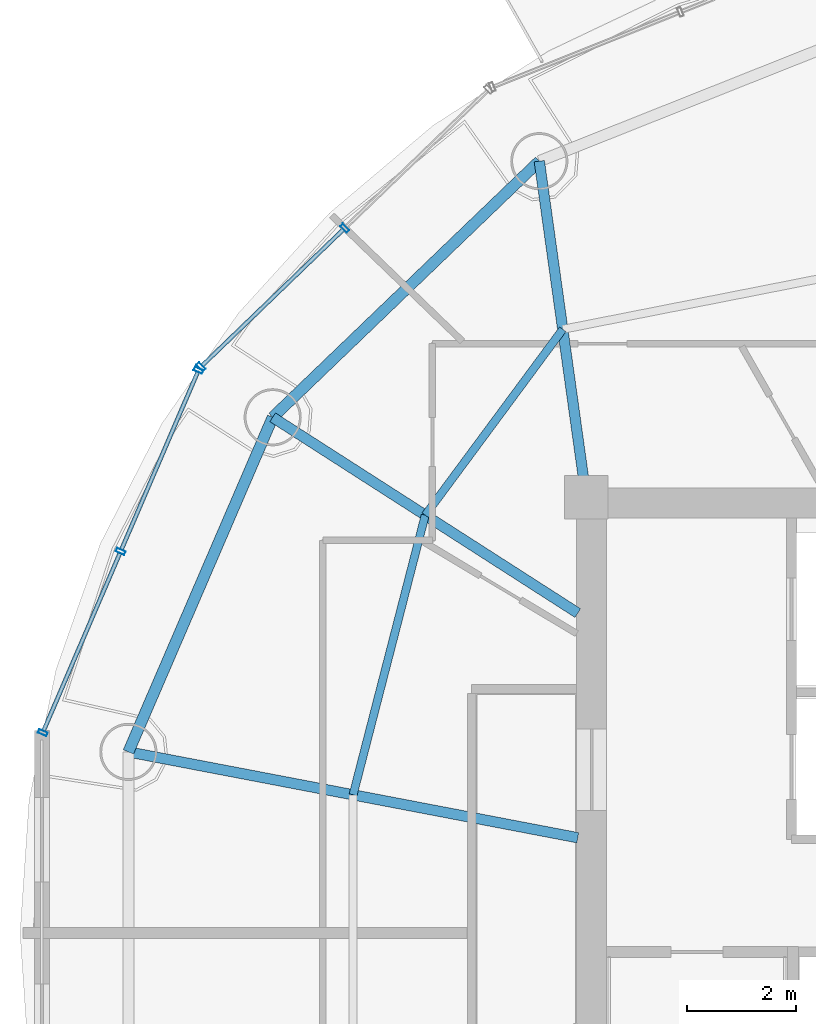
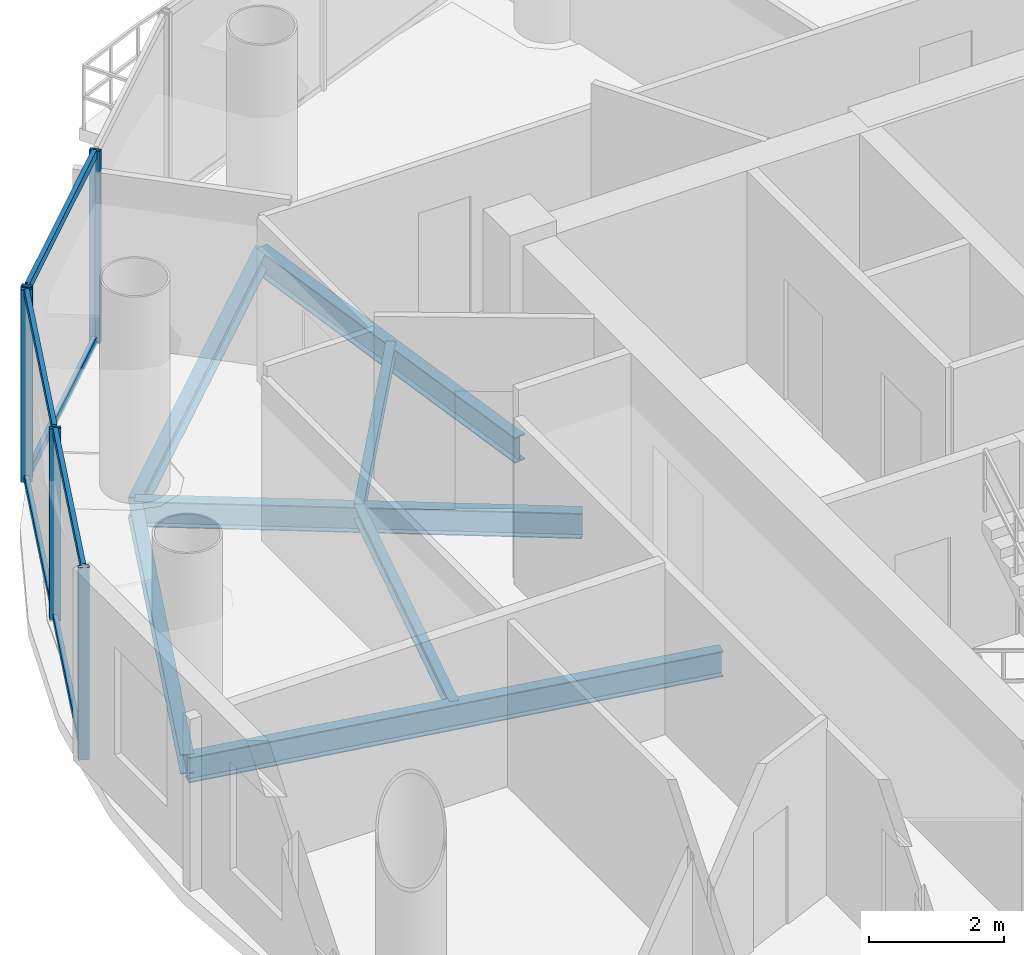
# One storey, part 8 of 23: 11 members, 7 beams, 2 elements without a shape of their own.
"""IFC4 building model written with IfcOpenShell, lengths in metres."""

from ifc_helpers import new_model, si_unit, direction, frame, origin, origin_2d, place, context, subcontext, project, spatial, hollow_rectangle, i_section, extrude, source, transform, mapped, material, material_profile, profile_set, type_object, element, aggregate, save


model = new_model("IFC4")

# Units and contexts
model_context = context("Model", 3, precision=1e-05, world=origin(), true_north=direction((-0.2419218956, 0.970295726276)))
body_context = subcontext(model_context, "Body", "Model", "MODEL_VIEW")
ifc_project = project(units=[si_unit("LENGTHUNIT", "METRE"), si_unit("AREAUNIT", "SQUARE_METRE"), si_unit("VOLUMEUNIT", "CUBIC_METRE"), si_unit("PLANEANGLEUNIT", "RADIAN"), si_unit("MASSUNIT", "GRAM", prefix="KILO")], contexts=[model_context])

# Site, building, storey
site_placement = place(None, origin())
site = spatial("IfcSite", under=ifc_project, at=site_placement, CompositionType="ELEMENT")
building_placement = place(site_placement, origin())
building = spatial("IfcBuilding", under=site, at=building_placement, Name="Cobrevalo Terracotta Tower", CompositionType="ELEMENT")
storey_placement = place(building_placement, frame((0.0, 0.0, 266.949951171875)))
storey = spatial("IfcBuildingStorey", under=building, at=storey_placement, Name="L70", CompositionType="ELEMENT", Elevation=266.949951171875)

# Beams
ifc_material_1 = material(Name="Steel S355", Category="steel")
ifc_material_profile_1 = material_profile(ifc_material_1, i_section(OverallWidth=0.19091796875, OverallDepth=0.4599609375, WebThickness=0.010009765625, FlangeThickness=0.01611328125, at=origin_2d()), Name="W 460x82")
ifc_profile_set_1 = profile_set([ifc_material_profile_1], Name="Steel S355")
beam_type_1 = type_object("IfcBeamType", Name="Structural Beam W 460x82 (Steel S355)", PredefinedType="BEAM", material=ifc_profile_set_1)
beam_1_placement = place(storey_placement, frame((28.138671875, 40.9765625, -0.489990234375), z_axis=(0.138115657759, -0.990416107039, 0.0), x_axis=(0.990416107039, 0.138115657759, 0.0)))
element("IfcBeam", 1, at=beam_1_placement, inside=storey, type_object=beam_type_1, Name="L70 radial floor girder 06", PredefinedType="BEAM", context=body_context, shape_type="SweptSolid", body=[
    extrude(i_section(OverallWidth=0.19091796875, OverallDepth=0.4599609375, WebThickness=0.010009765625, FlangeThickness=0.01611328125, at=origin_2d()), origin(), (0.0, 0.0, 1.0), 6.236328125),
])
beam_2_placement = place(storey_placement, frame((23.241455078125, 36.2724609375, -0.489990234375), z_axis=(0.84157615512, -0.540138477739, 0.0), x_axis=(0.540138477739, 0.84157615512, 0.0)))
element("IfcBeam", 2, at=beam_2_placement, inside=storey, type_object=beam_type_1, Name="L70 radial floor girder 07", PredefinedType="BEAM", context=body_context, shape_type="SweptSolid", body=[
    extrude(i_section(OverallWidth=0.19091796875, OverallDepth=0.4599609375, WebThickness=0.010009765625, FlangeThickness=0.01611328125, at=origin_2d()), origin(), (0.0, 0.0, 1.0), 6.658447265625),
])
beam_3_placement = place(storey_placement, frame((20.591064453125, 30.126220703125, -0.489990234375), z_axis=(0.982234917636, -0.187655446433, 0.0), x_axis=(0.187655446433, 0.982234917636, 0.0)))
element("IfcBeam", 3, at=beam_3_placement, inside=storey, type_object=beam_type_1, Name="L70 radial floor girder 08", PredefinedType="BEAM", context=body_context, shape_type="SweptSolid", body=[
    extrude(i_section(OverallWidth=0.19091796875, OverallDepth=0.4599609375, WebThickness=0.010009765625, FlangeThickness=0.01611328125, at=origin_2d()), origin(), (0.0, 0.0, 1.0), 8.403076171875),
])
ifc_material_profile_2 = material_profile(ifc_material_1, i_section(OverallWidth=0.14794921875, OverallDepth=0.26611328125, WebThickness=0.007568359375, FlangeThickness=0.012939453125, at=origin_2d()), Name="W 250x44.8")
ifc_profile_set_2 = profile_set([ifc_material_profile_2], Name="Steel S355")
beam_type_2 = type_object("IfcBeamType", Name="Structural Joist W 250x44.8 (Steel S355)", PredefinedType="JOIST", material=ifc_profile_set_2)
beam_4_placement = place(storey_placement, frame((28.5693359375, 37.88818359375, -0.39306640625), z_axis=(-0.594799916617, -0.803873783123, 0.0), x_axis=(0.803873783123, -0.594799916617, 0.0)))
element("IfcBeam", 4, at=beam_4_placement, inside=storey, type_object=beam_type_2, Name="L70 circumferential secondary floor joist 06", PredefinedType="JOIST", context=body_context, shape_type="SweptSolid", body=[
    extrude(i_section(OverallWidth=0.14794921875, OverallDepth=0.26611328125, WebThickness=0.007568359375, FlangeThickness=0.012939453125, at=origin_2d()), origin(), (0.0, 0.0, 1.0), 4.2470703125),
])
beam_5_placement = place(storey_placement, frame((26.043212890625, 34.47412109375, -0.39306640625), z_axis=(-0.249816773293, -0.968293126993, 0.0), x_axis=(0.968293126993, -0.249816773293, 0.0)))
element("IfcBeam", 5, at=beam_5_placement, inside=storey, type_object=beam_type_2, Name="L70 circumferential secondary floor joist 07", PredefinedType="JOIST", context=body_context, shape_type="SweptSolid", body=[
    extrude(i_section(OverallWidth=0.14794921875, OverallDepth=0.26611328125, WebThickness=0.007568359375, FlangeThickness=0.012939453125, at=origin_2d()), origin(), (0.0, 0.0, 1.0), 5.3046875),
])
ifc_material_profile_3 = material_profile(ifc_material_1, i_section(OverallWidth=0.205078125, OverallDepth=0.35400390625, WebThickness=0.009521484375, FlangeThickness=0.016845703125, at=origin_2d()), Name="W 360x79")
ifc_profile_set_3 = profile_set([ifc_material_profile_3], Name="Steel S355")
beam_type_3 = type_object("IfcBeamType", Name="Structural Spandrel W 360x79 (Steel S355)", PredefinedType="SPANDREL", material=ifc_profile_set_3)
beam_6_placement = place(storey_placement, frame((28.138671875, 40.9765625, -0.43701171875), z_axis=(-0.721183246144, -0.692744343522, 0.0), x_axis=(0.692744343522, -0.721183246144, 0.0)))
element("IfcBeam", 6, at=beam_6_placement, inside=storey, type_object=beam_type_3, Name="L70 perimeter ring spandrel 06", PredefinedType="SPANDREL", context=body_context, shape_type="SweptSolid", body=[
    extrude(i_section(OverallWidth=0.205078125, OverallDepth=0.35400390625, WebThickness=0.009521484375, FlangeThickness=0.016845703125, at=origin_2d()), origin(), (0.0, 0.0, 1.0), 6.79052734375),
])
beam_7_placement = place(storey_placement, frame((23.241455078125, 36.2724609375, -0.43701171875), z_axis=(-0.395974127655, -0.918261667624, 0.0), x_axis=(0.918261667624, -0.395974127655, 0.0)))
element("IfcBeam", 7, at=beam_7_placement, inside=storey, type_object=beam_type_3, Name="L70 perimeter ring spandrel 07", PredefinedType="SPANDREL", context=body_context, shape_type="SweptSolid", body=[
    extrude(i_section(OverallWidth=0.205078125, OverallDepth=0.35400390625, WebThickness=0.009521484375, FlangeThickness=0.016845703125, at=origin_2d()), origin(), (0.0, 0.0, 1.0), 6.693359375),
])

# Curtain wall, members
ifc_material_2 = material(Name="Anodized aluminium", Category="aluminium")
curtain_wall_type = type_object("IfcCurtainWallType", Name="Upper-tower triple-glazed penthouse curtain wall CW-U3", PredefinedType="NOTDEFINED", material=ifc_material_2)
curtain_wall_1_placement = place(storey_placement, origin())
curtain_wall_1 = element("IfcCurtainWall", 8, at=curtain_wall_1_placement, inside=storey, type_object=curtain_wall_type, Name="L70 curtain wall CW-L70-S06", PredefinedType="NOTDEFINED")
ifc_material_profile_4 = material_profile(ifc_material_2, hollow_rectangle(XDim=0.070068359375, YDim=0.169921875, WallThickness=0.00439453125, at=origin_2d()), Name="CWM 70x170")
ifc_profile_set_4 = profile_set([ifc_material_profile_4], Name="Anodized aluminium")
member_type_1 = type_object("IfcMemberType", Name="Upper tower unitised mullion 70x170", PredefinedType="MULLION", material=ifc_profile_set_4)
shared_shape_1 = source(origin(), body_context, "Body", "SweptSolid", [
    extrude(hollow_rectangle(XDim=0.070068359375, YDim=0.169921875, WallThickness=0.00439453125, at=origin_2d()), origin(), (0.0, 0.0, 1.0), 3.489990234375),
])
member_1_placement = place(storey_placement, frame((24.56640625, 39.748046875, 0.0), z_axis=(0.0, 0.0, 1.0), x_axis=(-0.71999418085, -0.69398010025, 0.0)))
member_1 = element("IfcMember", 9, at=member_1_placement, type_object=member_type_1, Name="CW-L70-S06 vertical mullion 02", PredefinedType="MULLION", context=body_context, shape_type="MappedRepresentation", body=[
    mapped(shared_shape_1, transform((0.0, 0.0, 0.0), scale=1.0)),
])
member_2_placement = place(storey_placement, frame((21.92333984375, 37.2001953125, 0.0), z_axis=(0.0, 0.0, 1.0), x_axis=(-0.71999418085, -0.69398010025, 0.0)))
member_2 = element("IfcMember", 10, at=member_2_placement, type_object=member_type_1, Name="CW-L70-S06 vertical mullion 03", PredefinedType="MULLION", context=body_context, shape_type="MappedRepresentation", body=[
    mapped(shared_shape_1, transform((0.0, 0.0, 0.0), scale=1.0)),
])

curtain_wall_2_placement = place(storey_placement, origin())
curtain_wall_2 = element("IfcCurtainWall", 11, at=curtain_wall_2_placement, inside=storey, type_object=curtain_wall_type, Name="L70 curtain wall CW-L70-S07", PredefinedType="NOTDEFINED")
member_3_placement = place(storey_placement, frame((21.878662109375, 37.1357421875, 0.0), z_axis=(0.0, 0.0, 1.0), x_axis=(-0.39482403454, -0.91875675875, 0.0)))
member_3 = element("IfcMember", 12, at=member_3_placement, type_object=member_type_1, Name="CW-L70-S07 vertical mullion 01", PredefinedType="MULLION", context=body_context, shape_type="MappedRepresentation", body=[
    mapped(shared_shape_1, transform((0.0, 0.0, 0.0), scale=1.0)),
])
member_4_placement = place(storey_placement, frame((20.4482421875, 33.807373046875, 0.0), z_axis=(0.0, 0.0, 1.0), x_axis=(-0.39482403454, -0.91875675875, 0.0)))
member_4 = element("IfcMember", 13, at=member_4_placement, type_object=member_type_1, Name="CW-L70-S07 vertical mullion 02", PredefinedType="MULLION", context=body_context, shape_type="MappedRepresentation", body=[
    mapped(shared_shape_1, transform((0.0, 0.0, 0.0), scale=1.0)),
])
member_5_placement = place(storey_placement, frame((19.01806640625, 30.47900390625, 0.0), z_axis=(0.0, 0.0, 1.0), x_axis=(-0.39482403454, -0.91875675875, 0.0)))
member_5 = element("IfcMember", 14, at=member_5_placement, type_object=member_type_1, Name="CW-L70-S07 vertical mullion 03", PredefinedType="MULLION", context=body_context, shape_type="MappedRepresentation", body=[
    mapped(shared_shape_1, transform((0.0, 0.0, 0.0), scale=1.0)),
])

# Member
ifc_material_profile_5 = material_profile(ifc_material_2, hollow_rectangle(XDim=0.074951171875, YDim=0.14990234375, WallThickness=0.00439453125, at=origin_2d()), Name="CWT 75x150")
ifc_profile_set_5 = profile_set([ifc_material_profile_5], Name="Anodized aluminium")
member_type_2 = type_object("IfcMemberType", Name="Tower unitised aluminium transom 75x150", PredefinedType="USERDEFINED", material=ifc_profile_set_5)
shared_shape_2 = source(origin(), body_context, "Body", "SweptSolid", [
    extrude(hollow_rectangle(XDim=0.074951171875, YDim=0.14990234375, WallThickness=0.00439453125, at=origin_2d()), origin(), (0.0, 0.0, 1.0), 3.59130859375),
])
member_6_placement = place(storey_placement, frame((24.537841796875, 39.72021484375, 0.050048828125), z_axis=(-0.720005628362, -0.693968223427, 0.0), x_axis=(0.693968223427, -0.720005628362, 0.0)))
member_6 = element("IfcMember", 15, at=member_6_placement, type_object=member_type_2, Name="CW-L70-S06 transom B02-T1", ObjectType="TRANSOM", PredefinedType="USERDEFINED", context=body_context, shape_type="MappedRepresentation", body=[
    mapped(shared_shape_2, transform((0.0, 0.0, 0.0), scale=1.0)),
])

member_7_placement = place(storey_placement, frame((24.537841796875, 39.72021484375, 3.43994140625), z_axis=(-0.720005628362, -0.693968223427, 0.0), x_axis=(0.693968223427, -0.720005628362, 0.0)))
member_7 = element("IfcMember", 16, at=member_7_placement, type_object=member_type_2, Name="CW-L70-S06 transom B02-T2", ObjectType="TRANSOM", PredefinedType="USERDEFINED", context=body_context, shape_type="MappedRepresentation", body=[
    mapped(shared_shape_2, transform((0.0, 0.0, 0.0), scale=1.0)),
])

aggregate(curtain_wall_1, [member_1, member_2, member_6, member_7])

shared_shape_3 = source(origin(), body_context, "Body", "SweptSolid", [
    extrude(hollow_rectangle(XDim=0.074951171875, YDim=0.14990234375, WallThickness=0.00439453125, at=origin_2d()), origin(), (0.0, 0.0, 1.0), 3.54248046875),
])
member_8_placement = place(storey_placement, frame((21.86279296875, 37.098876953125, 0.050048828125), z_axis=(-0.394834055841, -0.918752452159, 0.0), x_axis=(0.918752452159, -0.394834055841, 0.0)))
member_8 = element("IfcMember", 17, at=member_8_placement, type_object=member_type_2, Name="CW-L70-S07 transom B01-T1", ObjectType="TRANSOM", PredefinedType="USERDEFINED", context=body_context, shape_type="MappedRepresentation", body=[
    mapped(shared_shape_3, transform((0.0, 0.0, 0.0), scale=1.0)),
])

member_9_placement = place(storey_placement, frame((21.86279296875, 37.098876953125, 3.43994140625), z_axis=(-0.394834055841, -0.918752452159, 0.0), x_axis=(0.918752452159, -0.394834055841, 0.0)))
member_9 = element("IfcMember", 18, at=member_9_placement, type_object=member_type_2, Name="CW-L70-S07 transom B01-T2", ObjectType="TRANSOM", PredefinedType="USERDEFINED", context=body_context, shape_type="MappedRepresentation", body=[
    mapped(shared_shape_3, transform((0.0, 0.0, 0.0), scale=1.0)),
])

shared_shape_4 = source(origin(), body_context, "Body", "SweptSolid", [
    extrude(hollow_rectangle(XDim=0.074951171875, YDim=0.14990234375, WallThickness=0.00439453125, at=origin_2d()), origin(), (0.0, 0.0, 1.0), 3.542724609375),
])
member_10_placement = place(storey_placement, frame((20.4326171875, 33.770751953125, 0.050048828125), z_axis=(-0.394867226589, -0.918738196314, 0.0), x_axis=(0.918738196314, -0.394867226589, 0.0)))
member_10 = element("IfcMember", 19, at=member_10_placement, type_object=member_type_2, Name="CW-L70-S07 transom B02-T1", ObjectType="TRANSOM", PredefinedType="USERDEFINED", context=body_context, shape_type="MappedRepresentation", body=[
    mapped(shared_shape_4, transform((0.0, 0.0, 0.0), scale=1.0)),
])

member_11_placement = place(storey_placement, frame((20.4326171875, 33.770751953125, 3.43994140625), z_axis=(-0.394867226589, -0.918738196314, 0.0), x_axis=(0.918738196314, -0.394867226589, 0.0)))
member_11 = element("IfcMember", 20, at=member_11_placement, type_object=member_type_2, Name="CW-L70-S07 transom B02-T2", ObjectType="TRANSOM", PredefinedType="USERDEFINED", context=body_context, shape_type="MappedRepresentation", body=[
    mapped(shared_shape_4, transform((0.0, 0.0, 0.0), scale=1.0)),
])

aggregate(curtain_wall_2, [member_3, member_4, member_5, member_8, member_9, member_10, member_11])

save(model, "model.ifc")
